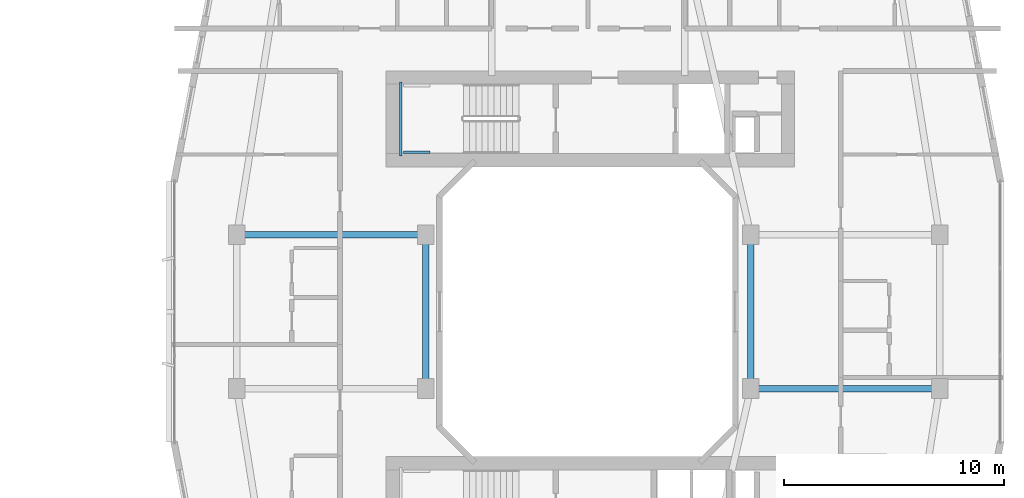
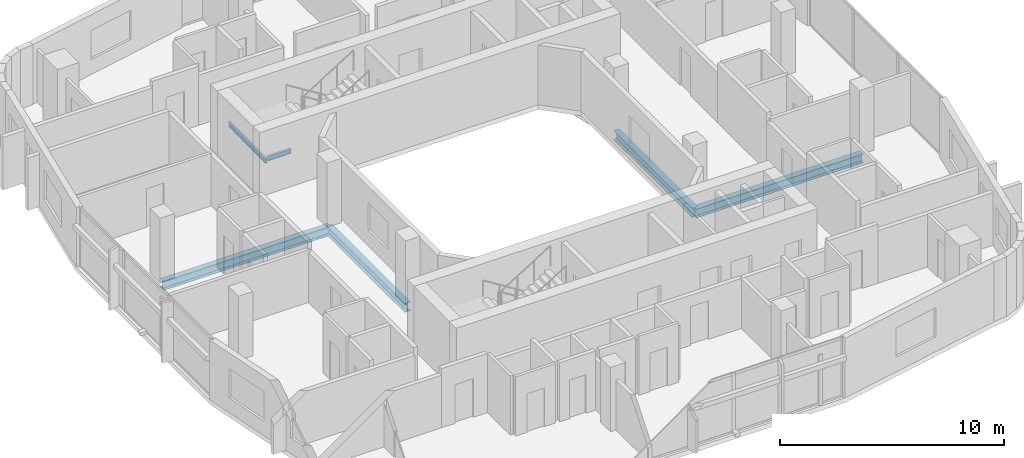
# One storey, part 9 of 27: 6 beams.
"""IFC4 building model written with IfcOpenShell, lengths in metres."""

import ifcopenshell
import ifcopenshell.guid

model = None  # the IFC model being written
_history = None  # IfcOwnerHistory: only IFC2X3 demands one
_inside = {}  # id of a spatial element -> (the spatial element, [elements in it])
_under = {}  # id of a project, library or spatial element -> (it, [spatial elements below it])
_declared = {}  # id of a project -> (the project, [libraries it declares])
_typed = {}  # id of a type object -> (the type object, [elements of that type])
_made_of = {}  # id of a material, layer set ... -> (it, [elements and type objects made of it])


def new_model(schema):
    """Start an empty IFC model of exactly this schema.

    Asked for "IFC4X3", IfcOpenShell would pick the latest addendum, in which some entities
    have other attributes; the version numbers below select the first issue.
    IFC2X3 requires an IfcOwnerHistory on every rooted entity: one is made here for all.
    """
    global model, _history
    if schema == "IFC4X3":
        model = ifcopenshell.file(schema_version=(4, 3, 0, 0))
    else:
        model = ifcopenshell.file(schema=schema)
    _inside.clear()
    _under.clear()
    _declared.clear()
    _typed.clear()
    _made_of.clear()
    _history = None
    if model.schema == "IFC2X3":
        org = make("IfcOrganization", Name="unknown")
        user = make(
            "IfcPersonAndOrganization",
            ThePerson=make("IfcPerson", FamilyName="unknown"),
            TheOrganization=org,
        )
        app = make(
            "IfcApplication",
            ApplicationDeveloper=org,
            Version="unknown",
            ApplicationFullName="unknown",
            ApplicationIdentifier="unknown",
        )
        _history = make(
            "IfcOwnerHistory",
            OwningUser=user,
            OwningApplication=app,
            ChangeAction="ADDED",
            CreationDate=0,
        )
    return model


def make(cls, **values):
    """One entity of the class cls with the attributes given. An attribute that is None is left unset."""
    return model.create_entity(
        cls, **{name: value for name, value in values.items() if value is not None}
    )


def rooted(cls, **values):
    """An entity with a GlobalId (a new one), such as an element, a storey or a relation."""
    return make(cls, GlobalId=ifcopenshell.guid.new(), OwnerHistory=_history, **values)


def si_unit(unit_type, name, prefix=None):
    """IfcSIUnit, for example si_unit("LENGTHUNIT", "METRE", prefix="MILLI")."""
    return make("IfcSIUnit", UnitType=unit_type, Prefix=prefix, Name=name)


def derived_unit(unit_type, elements):
    """IfcDerivedUnit: a product of units, each with its exponent."""
    return make(
        "IfcDerivedUnit",
        Elements=[
            make("IfcDerivedUnitElement", Unit=unit, Exponent=power)
            for unit, power in elements
        ],
        UnitType=unit_type,
    )


def assignment(units):
    """IfcUnitAssignment: the units of a project."""
    return None if units is None else make("IfcUnitAssignment", Units=units)


def point(xyz):
    """IfcCartesianPoint."""
    return None if xyz is None else make("IfcCartesianPoint", Coordinates=xyz)


def direction(xyz):
    """IfcDirection."""
    return None if xyz is None else make("IfcDirection", DirectionRatios=xyz)


def frame(location, z_axis=None, x_axis=None):
    """IfcAxis2Placement3D, a coordinate frame: its origin and axes. An axis left out is left unset."""
    return make(
        "IfcAxis2Placement3D",
        Location=point(location),
        Axis=direction(z_axis),
        RefDirection=direction(x_axis),
    )


def frame_2d(location, x_axis=None):
    """IfcAxis2Placement2D, a coordinate frame in the plane: its origin and x axis."""
    return make(
        "IfcAxis2Placement2D", Location=point(location), RefDirection=direction(x_axis)
    )


def origin():
    """The frame at (0, 0, 0) with its axes left unset."""
    return frame((0.0, 0.0, 0.0))


def origin_2d():
    """The frame at (0, 0) in the plane with its x axis left unset."""
    return frame_2d((0.0, 0.0))


def place(relative_to, where):
    """IfcLocalPlacement: puts the frame where relative to a parent placement (None: the world)."""
    return make(
        "IfcLocalPlacement", PlacementRelTo=relative_to, RelativePlacement=where
    )


def context(
    kind, dimensions, precision=None, world=None, true_north=None, identifier=None
):
    """IfcGeometricRepresentationContext, for example the 3D "Model" context."""
    return make(
        "IfcGeometricRepresentationContext",
        ContextIdentifier=identifier,
        ContextType=kind,
        CoordinateSpaceDimension=dimensions,
        Precision=precision,
        WorldCoordinateSystem=world,
        TrueNorth=true_north,
    )


def subcontext(parent, identifier, kind, view, scale=None):
    """IfcGeometricRepresentationSubContext, for example "Body" below "Model"."""
    return make(
        "IfcGeometricRepresentationSubContext",
        ContextIdentifier=identifier,
        ContextType=kind,
        ParentContext=parent,
        TargetScale=scale,
        TargetView=view,
    )


def project(units=None, contexts=None):
    """IfcProject with its units and contexts."""
    return rooted(
        "IfcProject",
        Name="project",
        RepresentationContexts=contexts,
        UnitsInContext=assignment(units),
    )


def spatial(cls, under=None, at=None, **own):
    """A site, building, storey or space (cls), placed at a placement, below another one or the project."""
    s = rooted(cls, ObjectPlacement=at, **own)
    if under is not None:
        _under.setdefault(under.id(), (under, []))[1].append(s)
    return s


def profile(cls, at=None, kind="AREA", **sizes):
    """A parametric profile (cls). Its sizes go by their IFC names, for example OverallWidth=200.0."""
    return make(cls, ProfileType=kind, Position=at, **sizes)


def i_section(**sizes):
    """IfcIShapeProfileDef."""
    return profile("IfcIShapeProfileDef", **sizes)


def extrude(swept, where, along, depth):
    """IfcExtrudedAreaSolid: the profile swept, set in the frame where, extruded along a direction by depth."""
    return make(
        "IfcExtrudedAreaSolid",
        SweptArea=swept,
        Position=where,
        ExtrudedDirection=direction(along),
        Depth=depth,
    )


def shape(context_of_items, identifier, shape_type, items):
    """IfcShapeRepresentation: the items that make up one representation, for example the "Body"."""
    return make(
        "IfcShapeRepresentation",
        ContextOfItems=context_of_items,
        RepresentationIdentifier=identifier,
        RepresentationType=shape_type,
        Items=items,
    )


def material(Name=None, Category=None):
    """IfcMaterial."""
    return make("IfcMaterial", Name=Name, Category=Category)


def material_profile(
    of_material, cross_section, Name=None, Category=None, Priority=None
):
    """IfcMaterialProfile: a cross section and its material."""
    return make(
        "IfcMaterialProfile",
        Name=Name,
        Material=of_material,
        Profile=cross_section,
        Priority=Priority,
        Category=Category,
    )


def profile_set(profiles, Name=None, composite=None):
    """IfcMaterialProfileSet."""
    return make(
        "IfcMaterialProfileSet",
        Name=Name,
        MaterialProfiles=profiles,
        CompositeProfile=composite,
    )


def made_of(thing, what):
    """Note that an element or type object is made of a material, layer set ...; save() writes the relation."""
    if what is not None:
        _made_of.setdefault(what.id(), (what, []))[1].append(thing)
    return thing


def type_object(cls, material=None, **own):
    """A type object (cls), such as IfcWallType, which elements share."""
    return made_of(rooted(cls, **own), material)


def element(
    cls,
    number,
    at=None,
    inside=None,
    cuts=None,
    type_object=None,
    material=None,
    context=None,
    identifier="Body",
    shape_type=None,
    held_by="IfcProductDefinitionShape",
    body=None,
    shapes=None,
    **own,
):
    """One element of the class cls, such as IfcWall. Its Tag is "e" and its number.

    at: its placement. inside: the storey or other place that contains it. cuts: it is an
    opening in that element (IfcRelVoidsElement). A single representation is given by context,
    identifier, shape_type and body (its items); several are given by shapes. held_by: the class
    of the entity that holds the representations. save() writes the other relations.
    """
    e = rooted(cls, Tag="e%d" % number, ObjectPlacement=at, **own)
    if body is not None:
        shapes = [shape(context, identifier, shape_type, body)]
    if shapes is not None:
        e.Representation = make(held_by, Representations=shapes)
    if inside is not None:
        _inside.setdefault(inside.id(), (inside, []))[1].append(e)
    if cuts is not None:
        rooted(
            "IfcRelVoidsElement", RelatingBuildingElement=cuts, RelatedOpeningElement=e
        )
    if type_object is not None:
        _typed.setdefault(type_object.id(), (type_object, []))[1].append(e)
    return made_of(e, material)


def aggregate(whole, parts):
    """IfcRelAggregates: a whole, such as a stair, and the parts it consists of."""
    return rooted("IfcRelAggregates", RelatingObject=whole, RelatedObjects=parts)


def save(model, path):
    """Write the relations noted so far, then the file.

    IfcRelAggregates (storeys below a building ...), IfcRelContainedInSpatialStructure (elements
    in a storey), IfcRelDefinesByType, IfcRelAssociatesMaterial and IfcRelDeclares: one each for
    every whole, place, type object, material and project.
    """
    for whole, parts in _under.values():
        aggregate(whole, parts)
    for where, things in _inside.values():
        rooted(
            "IfcRelContainedInSpatialStructure",
            RelatedElements=things,
            RelatingStructure=where,
        )
    for kind, things in _typed.values():
        rooted("IfcRelDefinesByType", RelatedObjects=things, RelatingType=kind)
    for what, things in _made_of.values():
        rooted("IfcRelAssociatesMaterial", RelatedObjects=things, RelatingMaterial=what)
    for by, libraries in _declared.values():
        rooted("IfcRelDeclares", RelatingContext=by, RelatedDefinitions=libraries)
    model.write(path)


model = new_model("IFC4")

# Units and contexts
model_context = context("Model", 3, precision=1e-05, world=origin(), true_north=direction((0.0, 1.0)))
body_context = subcontext(model_context, "Body", "Model", "MODEL_VIEW")
ifc_project = project(units=[si_unit("LENGTHUNIT", "METRE"), si_unit("AREAUNIT", "SQUARE_METRE"), si_unit("VOLUMEUNIT", "CUBIC_METRE"), si_unit("PLANEANGLEUNIT", "RADIAN"), si_unit("MASSUNIT", "GRAM", prefix="KILO"), derived_unit("THERMALTRANSMITTANCEUNIT", [(si_unit("POWERUNIT", "WATT"), 1), (si_unit("LENGTHUNIT", "METRE"), -2), (si_unit("THERMODYNAMICTEMPERATUREUNIT", "KELVIN"), -1)])], contexts=[model_context])

# Site, building, storey
site_placement = place(None, origin())
site = spatial("IfcSite", under=ifc_project, at=site_placement, CompositionType="ELEMENT")
building_placement = place(site_placement, origin())
building = spatial("IfcBuilding", under=site, at=building_placement, Name="Kivonza Crest Hotel", CompositionType="ELEMENT")
storey_placement = place(building_placement, frame((0.0, 0.0, 38.0)))
storey = spatial("IfcBuildingStorey", under=building, at=storey_placement, Name="L09", CompositionType="ELEMENT", Elevation=38.0)

# Beams
ifc_material = material(Name="Steel S355", Category="steel")
ifc_material_profile_1 = material_profile(ifc_material, i_section(OverallWidth=0.300048828125, OverallDepth=0.5, WebThickness=0.014404296875, FlangeThickness=0.028076171875, FilletRadius=0.027099609375, at=origin_2d()), Name="HEB 500")
ifc_profile_set_1 = profile_set([ifc_material_profile_1], Name="Steel S355")
beam_type_1 = type_object("IfcBeamType", Name="BM-HEB500", PredefinedType="BEAM", material=ifc_profile_set_1)
beam_1_placement = place(storey_placement, frame((61.0, 28.5, -0.5), z_axis=(1.0, 0.0, 0.0), x_axis=(0.0, 1.0, 0.0)))
element("IfcBeam", 1, at=beam_1_placement, inside=storey, type_object=beam_type_1, Name="Companion Tower T2 L09 girder W2-WL2", PredefinedType="BEAM", context=body_context, shape_type="SweptSolid", body=[
    extrude(i_section(OverallWidth=0.300048828125, OverallDepth=0.5, WebThickness=0.014404296875, FlangeThickness=0.028076171875, FilletRadius=0.027099609375, at=origin_2d()), origin(), (0.0, 0.0, 1.0), 8.60009765625),
])
beam_2_placement = place(storey_placement, frame((69.60009765625, 21.5, -0.5), z_axis=(0.0, 1.0, 0.0), x_axis=(-1.0, 0.0, 0.0)))
element("IfcBeam", 2, at=beam_2_placement, inside=storey, type_object=beam_type_1, Name="Companion Tower T2 L09 girder WL1-WL2", PredefinedType="BEAM", context=body_context, shape_type="SweptSolid", body=[
    extrude(i_section(OverallWidth=0.300048828125, OverallDepth=0.5, WebThickness=0.014404296875, FlangeThickness=0.028076171875, FilletRadius=0.027099609375, at=origin_2d()), origin(), (0.0, 0.0, 1.0), 7.0),
])
beam_3_placement = place(storey_placement, frame((84.39990234375, 21.5, -0.5), z_axis=(1.0, 0.0, 0.0), x_axis=(0.0, 1.0, 0.0)))
element("IfcBeam", 3, at=beam_3_placement, inside=storey, type_object=beam_type_1, Name="Companion Tower T2 L09 girder WR1-E1", PredefinedType="BEAM", context=body_context, shape_type="SweptSolid", body=[
    extrude(i_section(OverallWidth=0.300048828125, OverallDepth=0.5, WebThickness=0.014404296875, FlangeThickness=0.028076171875, FilletRadius=0.027099609375, at=origin_2d()), origin(), (0.0, 0.0, 1.0), 8.60009765625),
])
beam_4_placement = place(storey_placement, frame((84.39990234375, 21.5, -0.5), z_axis=(0.0, 1.0, 0.0), x_axis=(-1.0, 0.0, 0.0)))
element("IfcBeam", 4, at=beam_4_placement, inside=storey, type_object=beam_type_1, Name="Companion Tower T2 L09 girder WR1-WR2", PredefinedType="BEAM", context=body_context, shape_type="SweptSolid", body=[
    extrude(i_section(OverallWidth=0.300048828125, OverallDepth=0.5, WebThickness=0.014404296875, FlangeThickness=0.028076171875, FilletRadius=0.027099609375, at=origin_2d()), origin(), (0.0, 0.0, 1.0), 7.0),
])
ifc_material_profile_2 = material_profile(ifc_material, i_section(OverallWidth=0.1201171875, OverallDepth=0.239990234375, WebThickness=0.006103515625, FlangeThickness=0.009765625, FilletRadius=0.014892578125, at=origin_2d()), Name="IPE 240")
ifc_profile_set_2 = profile_set([ifc_material_profile_2], Name="Steel S355")
beam_type_2 = type_object("IfcBeamType", Name="BM-LLDG-240", PredefinedType="BEAM", material=ifc_profile_set_2)
beam_5_placement = place(storey_placement, frame((68.4599609375, 32.10009765625, 1.429931640625), z_axis=(0.0, 1.0, 0.0), x_axis=(-1.0, 0.0, 0.0)))
element("IfcBeam", 5, at=beam_5_placement, inside=storey, type_object=beam_type_2, Name="Stair ST-T2-N L09 West landing corbel", PredefinedType="BEAM", context=body_context, shape_type="SweptSolid", body=[
    extrude(i_section(OverallWidth=0.1201171875, OverallDepth=0.239990234375, WebThickness=0.006103515625, FlangeThickness=0.009765625, FilletRadius=0.014892578125, at=origin_2d()), origin(), (0.0, 0.0, 1.0), 3.35986328125),
])
beam_6_placement = place(storey_placement, frame((68.590087890625, 32.260009765625, 1.429931640625), z_axis=(1.0, 0.0, 0.0), x_axis=(0.0, 1.0, 0.0)))
element("IfcBeam", 6, at=beam_6_placement, inside=storey, type_object=beam_type_2, Name="Stair ST-T2-N L09 South landing corbel", PredefinedType="BEAM", context=body_context, shape_type="SweptSolid", body=[
    extrude(i_section(OverallWidth=0.1201171875, OverallDepth=0.239990234375, WebThickness=0.006103515625, FlangeThickness=0.009765625, FilletRadius=0.014892578125, at=origin_2d()), origin(), (0.0, 0.0, 1.0), 1.2099609375),
])

save(model, "model.ifc")
